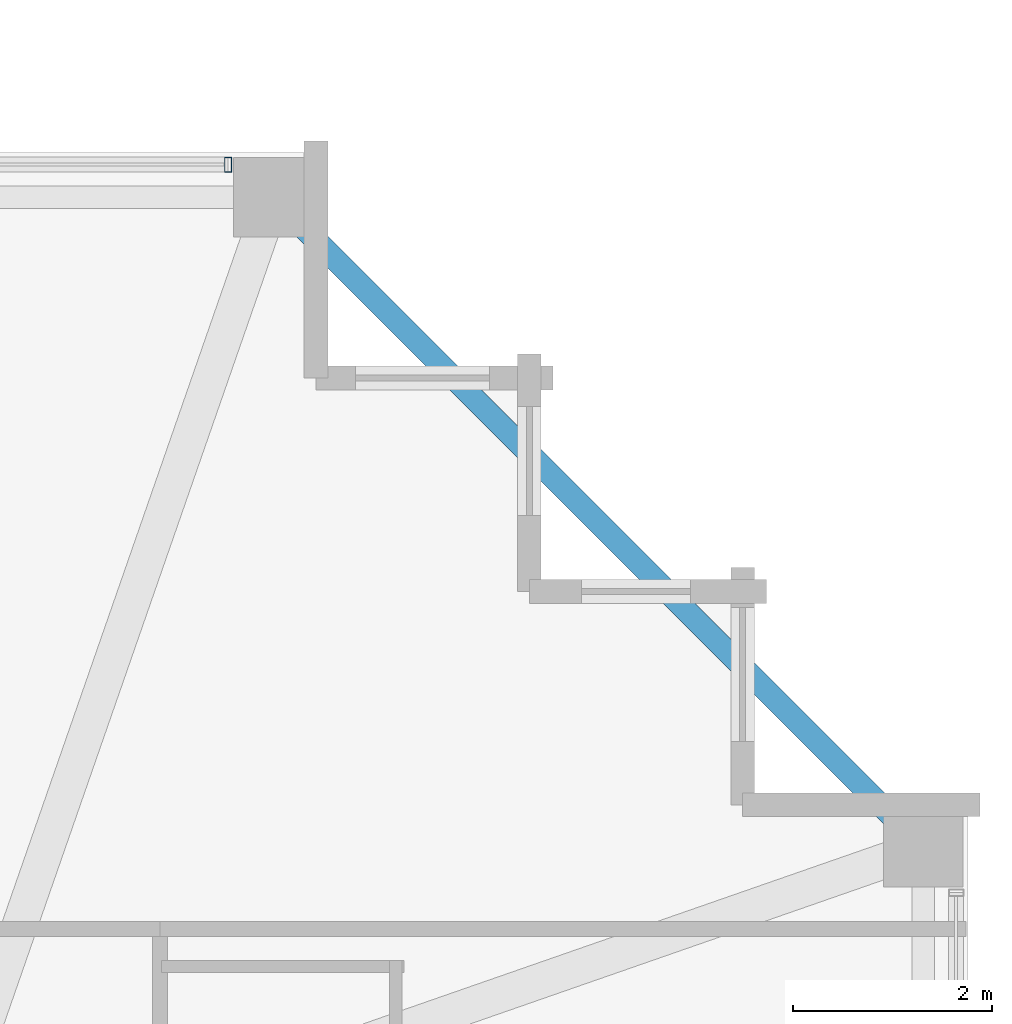
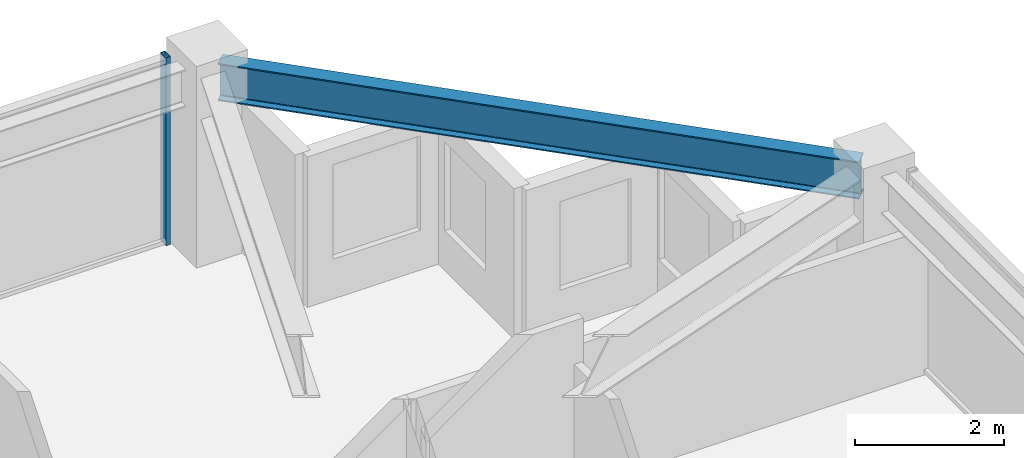
# One storey, part 22 of 36: 1 beam, 1 member, 1 element without a shape of its own.
"""IFC4 building model written with IfcOpenShell, lengths in metres."""

import ifcopenshell
import ifcopenshell.guid

model = None  # the IFC model being written
_history = None  # IfcOwnerHistory: only IFC2X3 demands one
_inside = {}  # id of a spatial element -> (the spatial element, [elements in it])
_under = {}  # id of a project, library or spatial element -> (it, [spatial elements below it])
_declared = {}  # id of a project -> (the project, [libraries it declares])
_typed = {}  # id of a type object -> (the type object, [elements of that type])
_made_of = {}  # id of a material, layer set ... -> (it, [elements and type objects made of it])


def new_model(schema):
    """Start an empty IFC model of exactly this schema.

    Asked for "IFC4X3", IfcOpenShell would pick the latest addendum, in which some entities
    have other attributes; the version numbers below select the first issue.
    IFC2X3 requires an IfcOwnerHistory on every rooted entity: one is made here for all.
    """
    global model, _history
    if schema == "IFC4X3":
        model = ifcopenshell.file(schema_version=(4, 3, 0, 0))
    else:
        model = ifcopenshell.file(schema=schema)
    _inside.clear()
    _under.clear()
    _declared.clear()
    _typed.clear()
    _made_of.clear()
    _history = None
    if model.schema == "IFC2X3":
        org = make("IfcOrganization", Name="unknown")
        user = make(
            "IfcPersonAndOrganization",
            ThePerson=make("IfcPerson", FamilyName="unknown"),
            TheOrganization=org,
        )
        app = make(
            "IfcApplication",
            ApplicationDeveloper=org,
            Version="unknown",
            ApplicationFullName="unknown",
            ApplicationIdentifier="unknown",
        )
        _history = make(
            "IfcOwnerHistory",
            OwningUser=user,
            OwningApplication=app,
            ChangeAction="ADDED",
            CreationDate=0,
        )
    return model


def make(cls, **values):
    """One entity of the class cls with the attributes given. An attribute that is None is left unset."""
    return model.create_entity(
        cls, **{name: value for name, value in values.items() if value is not None}
    )


def rooted(cls, **values):
    """An entity with a GlobalId (a new one), such as an element, a storey or a relation."""
    return make(cls, GlobalId=ifcopenshell.guid.new(), OwnerHistory=_history, **values)


def si_unit(unit_type, name, prefix=None):
    """IfcSIUnit, for example si_unit("LENGTHUNIT", "METRE", prefix="MILLI")."""
    return make("IfcSIUnit", UnitType=unit_type, Prefix=prefix, Name=name)


def assignment(units):
    """IfcUnitAssignment: the units of a project."""
    return None if units is None else make("IfcUnitAssignment", Units=units)


def point(xyz):
    """IfcCartesianPoint."""
    return None if xyz is None else make("IfcCartesianPoint", Coordinates=xyz)


def direction(xyz):
    """IfcDirection."""
    return None if xyz is None else make("IfcDirection", DirectionRatios=xyz)


def frame(location, z_axis=None, x_axis=None):
    """IfcAxis2Placement3D, a coordinate frame: its origin and axes. An axis left out is left unset."""
    return make(
        "IfcAxis2Placement3D",
        Location=point(location),
        Axis=direction(z_axis),
        RefDirection=direction(x_axis),
    )


def frame_2d(location, x_axis=None):
    """IfcAxis2Placement2D, a coordinate frame in the plane: its origin and x axis."""
    return make(
        "IfcAxis2Placement2D", Location=point(location), RefDirection=direction(x_axis)
    )


def origin():
    """The frame at (0, 0, 0) with its axes left unset."""
    return frame((0.0, 0.0, 0.0))


def origin_2d():
    """The frame at (0, 0) in the plane with its x axis left unset."""
    return frame_2d((0.0, 0.0))


def place(relative_to, where):
    """IfcLocalPlacement: puts the frame where relative to a parent placement (None: the world)."""
    return make(
        "IfcLocalPlacement", PlacementRelTo=relative_to, RelativePlacement=where
    )


def context(
    kind, dimensions, precision=None, world=None, true_north=None, identifier=None
):
    """IfcGeometricRepresentationContext, for example the 3D "Model" context."""
    return make(
        "IfcGeometricRepresentationContext",
        ContextIdentifier=identifier,
        ContextType=kind,
        CoordinateSpaceDimension=dimensions,
        Precision=precision,
        WorldCoordinateSystem=world,
        TrueNorth=true_north,
    )


def subcontext(parent, identifier, kind, view, scale=None):
    """IfcGeometricRepresentationSubContext, for example "Body" below "Model"."""
    return make(
        "IfcGeometricRepresentationSubContext",
        ContextIdentifier=identifier,
        ContextType=kind,
        ParentContext=parent,
        TargetScale=scale,
        TargetView=view,
    )


def project(units=None, contexts=None):
    """IfcProject with its units and contexts."""
    return rooted(
        "IfcProject",
        Name="project",
        RepresentationContexts=contexts,
        UnitsInContext=assignment(units),
    )


def spatial(cls, under=None, at=None, **own):
    """A site, building, storey or space (cls), placed at a placement, below another one or the project."""
    s = rooted(cls, ObjectPlacement=at, **own)
    if under is not None:
        _under.setdefault(under.id(), (under, []))[1].append(s)
    return s


def profile(cls, at=None, kind="AREA", **sizes):
    """A parametric profile (cls). Its sizes go by their IFC names, for example OverallWidth=200.0."""
    return make(cls, ProfileType=kind, Position=at, **sizes)


def hollow_rectangle(**sizes):
    """IfcRectangleHollowProfileDef."""
    return profile("IfcRectangleHollowProfileDef", **sizes)


def i_section(**sizes):
    """IfcIShapeProfileDef."""
    return profile("IfcIShapeProfileDef", **sizes)


def extrude(swept, where, along, depth):
    """IfcExtrudedAreaSolid: the profile swept, set in the frame where, extruded along a direction by depth."""
    return make(
        "IfcExtrudedAreaSolid",
        SweptArea=swept,
        Position=where,
        ExtrudedDirection=direction(along),
        Depth=depth,
    )


def shape(context_of_items, identifier, shape_type, items):
    """IfcShapeRepresentation: the items that make up one representation, for example the "Body"."""
    return make(
        "IfcShapeRepresentation",
        ContextOfItems=context_of_items,
        RepresentationIdentifier=identifier,
        RepresentationType=shape_type,
        Items=items,
    )


def material(Name=None, Category=None):
    """IfcMaterial."""
    return make("IfcMaterial", Name=Name, Category=Category)


def material_profile(
    of_material, cross_section, Name=None, Category=None, Priority=None
):
    """IfcMaterialProfile: a cross section and its material."""
    return make(
        "IfcMaterialProfile",
        Name=Name,
        Material=of_material,
        Profile=cross_section,
        Priority=Priority,
        Category=Category,
    )


def profile_set(profiles, Name=None, composite=None):
    """IfcMaterialProfileSet."""
    return make(
        "IfcMaterialProfileSet",
        Name=Name,
        MaterialProfiles=profiles,
        CompositeProfile=composite,
    )


def made_of(thing, what):
    """Note that an element or type object is made of a material, layer set ...; save() writes the relation."""
    if what is not None:
        _made_of.setdefault(what.id(), (what, []))[1].append(thing)
    return thing


def type_object(cls, material=None, **own):
    """A type object (cls), such as IfcWallType, which elements share."""
    return made_of(rooted(cls, **own), material)


def element(
    cls,
    number,
    at=None,
    inside=None,
    cuts=None,
    type_object=None,
    material=None,
    context=None,
    identifier="Body",
    shape_type=None,
    held_by="IfcProductDefinitionShape",
    body=None,
    shapes=None,
    **own,
):
    """One element of the class cls, such as IfcWall. Its Tag is "e" and its number.

    at: its placement. inside: the storey or other place that contains it. cuts: it is an
    opening in that element (IfcRelVoidsElement). A single representation is given by context,
    identifier, shape_type and body (its items); several are given by shapes. held_by: the class
    of the entity that holds the representations. save() writes the other relations.
    """
    e = rooted(cls, Tag="e%d" % number, ObjectPlacement=at, **own)
    if body is not None:
        shapes = [shape(context, identifier, shape_type, body)]
    if shapes is not None:
        e.Representation = make(held_by, Representations=shapes)
    if inside is not None:
        _inside.setdefault(inside.id(), (inside, []))[1].append(e)
    if cuts is not None:
        rooted(
            "IfcRelVoidsElement", RelatingBuildingElement=cuts, RelatedOpeningElement=e
        )
    if type_object is not None:
        _typed.setdefault(type_object.id(), (type_object, []))[1].append(e)
    return made_of(e, material)


def aggregate(whole, parts):
    """IfcRelAggregates: a whole, such as a stair, and the parts it consists of."""
    return rooted("IfcRelAggregates", RelatingObject=whole, RelatedObjects=parts)


def save(model, path):
    """Write the relations noted so far, then the file.

    IfcRelAggregates (storeys below a building ...), IfcRelContainedInSpatialStructure (elements
    in a storey), IfcRelDefinesByType, IfcRelAssociatesMaterial and IfcRelDeclares: one each for
    every whole, place, type object, material and project.
    """
    for whole, parts in _under.values():
        aggregate(whole, parts)
    for where, things in _inside.values():
        rooted(
            "IfcRelContainedInSpatialStructure",
            RelatedElements=things,
            RelatingStructure=where,
        )
    for kind, things in _typed.values():
        rooted("IfcRelDefinesByType", RelatedObjects=things, RelatingType=kind)
    for what, things in _made_of.values():
        rooted("IfcRelAssociatesMaterial", RelatedObjects=things, RelatingMaterial=what)
    for by, libraries in _declared.values():
        rooted("IfcRelDeclares", RelatingContext=by, RelatedDefinitions=libraries)
    model.write(path)


model = new_model("IFC4")

# Units and contexts
model_context = context("Model", 3, precision=1e-05, world=origin(), true_north=direction((0.0, 1.0)))
body_context = subcontext(model_context, "Body", "Model", "MODEL_VIEW")
ifc_project = project(units=[si_unit("LENGTHUNIT", "METRE"), si_unit("AREAUNIT", "SQUARE_METRE"), si_unit("VOLUMEUNIT", "CUBIC_METRE"), si_unit("PLANEANGLEUNIT", "RADIAN"), si_unit("MASSUNIT", "GRAM", prefix="KILO")], contexts=[model_context])

# Site, building, storey
site_placement = place(None, origin())
site = spatial("IfcSite", under=ifc_project, at=site_placement, CompositionType="ELEMENT")
building_placement = place(site_placement, origin())
building = spatial("IfcBuilding", under=site, at=building_placement, Name="Kolvaren Belvedere", CompositionType="ELEMENT")
storey_placement = place(building_placement, frame((0.0, 0.0, 226.199951171875)))
storey = spatial("IfcBuildingStorey", under=building, at=storey_placement, Name="L66", CompositionType="ELEMENT", Elevation=226.199951171875)

# Beam
ifc_material_1 = material(Name="Structural steel ASTM A992 Grade 50", Category="steel")
ifc_material_profile_1 = material_profile(ifc_material_1, i_section(OverallWidth=0.22900390625, OverallDepth=0.612060546875, WebThickness=0.011962890625, FlangeThickness=0.01953125, FilletRadius=0.01806640625, at=origin_2d()), Name="W24X84")
ifc_profile_set_1 = profile_set([ifc_material_profile_1], Name="Structural steel ASTM A992 Grade 50")
beam_type = type_object("IfcBeamType", Name="BM-SPAN-W24X84", PredefinedType="SPANDREL", material=ifc_profile_set_1)
beam_placement = place(storey_placement, frame((19.82275390625, 13.52734375, 2.774169921875), z_axis=(-0.707106781187, 0.707106781187, 0.0), x_axis=(-0.707106781187, -0.707106781187, 0.0)))
element("IfcBeam", 1, at=beam_placement, inside=storey, type_object=beam_type, Name="L66 Perimeter Spandrel E4-N4", PredefinedType="SPANDREL", context=body_context, shape_type="SweptSolid", body=[
    extrude(i_section(OverallWidth=0.22900390625, OverallDepth=0.612060546875, WebThickness=0.011962890625, FlangeThickness=0.01953125, FilletRadius=0.01806640625, at=origin_2d()), origin(), (0.0, 0.0, 1.0), 8.903076171875),
])

# Curtain wall, member
ifc_material_2 = material(Name="Anodised pale-metal aluminium AA 6063-T6", Category="aluminium")
curtain_wall_type = type_object("IfcCurtainWallType", Name="CW-Z5-HIGH", PredefinedType="NOTDEFINED", material=ifc_material_2)
curtain_wall_placement = place(storey_placement, origin())
curtain_wall = element("IfcCurtainWall", 2, at=curtain_wall_placement, inside=storey, type_object=curtain_wall_type, Name="L66 Unitised Curtain Wall FCW-L66-N2-B2", PredefinedType="NOTDEFINED")
ifc_material_3 = material(Name="Anodised pale-metal aluminium AA 6063-T6", Category="aluminium")
ifc_material_profile_2 = material_profile(ifc_material_3, hollow_rectangle(XDim=0.070068359375, YDim=0.14990234375, WallThickness=0.004150390625, at=origin_2d()), Name="ALU-MUL-150X70")
ifc_profile_set_2 = profile_set([ifc_material_profile_2], Name="Anodised pale-metal aluminium AA 6063-T6")
member_type = type_object("IfcMemberType", Name="CW-MUL-150", PredefinedType="MULLION", material=ifc_profile_set_2)
member_placement = place(storey_placement, frame((12.945068359375, 20.280029296875, 0.0), z_axis=(0.0, 0.0, 1.0), x_axis=(1.0, 0.0, 0.0)))
member = element("IfcMember", 3, at=member_placement, type_object=member_type, Name="FCW-L66-N2-B2 Unitised Mullion 3", PredefinedType="MULLION", context=body_context, shape_type="SweptSolid", body=[
    extrude(hollow_rectangle(XDim=0.070068359375, YDim=0.14990234375, WallThickness=0.004150390625, at=origin_2d()), origin(), (0.0, 0.0, 1.0), 3.080078125),
])
aggregate(curtain_wall, [member])

save(model, "model.ifc")
